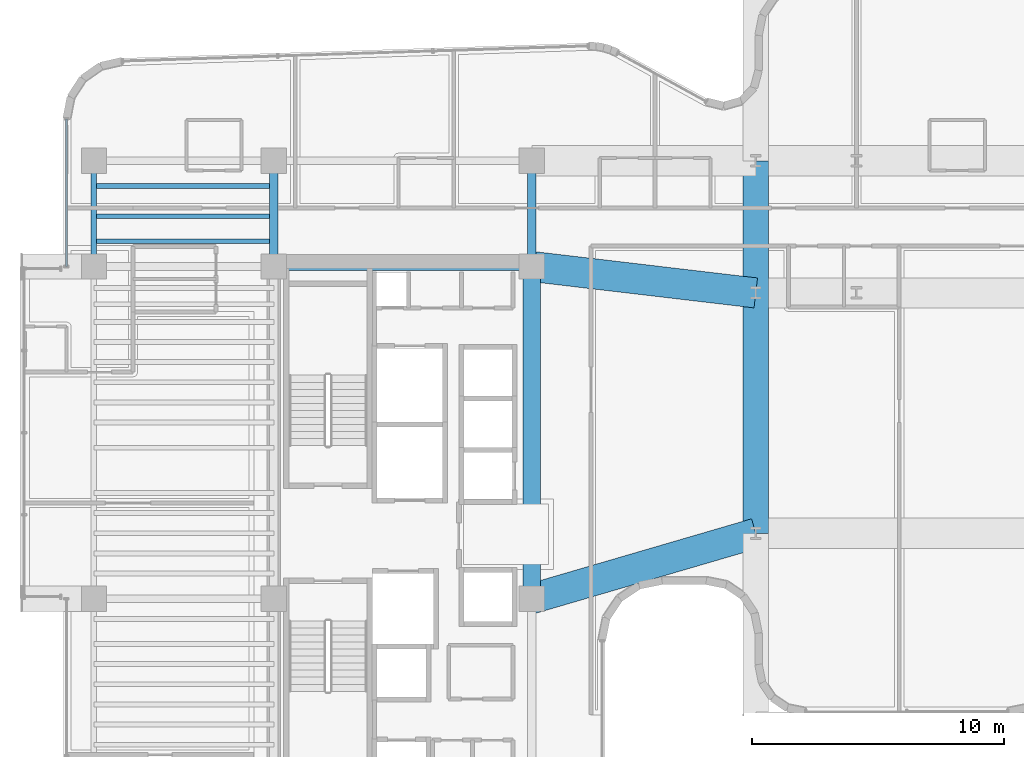
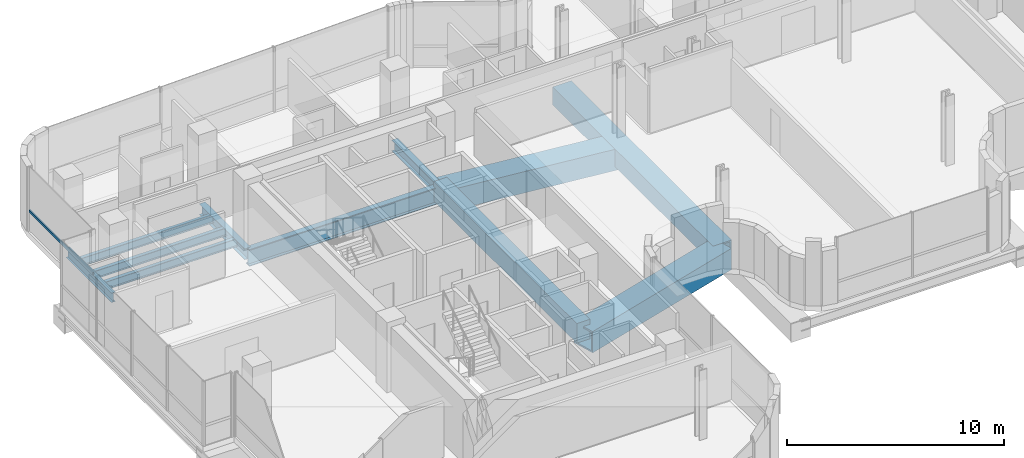
# One storey, part 8 of 36: 11 beams, 1 member, 1 element without a shape of its own.
"""IFC4 building model written with IfcOpenShell, lengths in metres."""

from ifc_helpers import new_model, si_unit, direction, frame, origin, origin_2d, place, context, subcontext, project, spatial, rectangle, hollow_rectangle, i_section, extrude, source, transform, mapped, material, material_profile, profile_set, type_object, element, aggregate, save


model = new_model("IFC4")

# Units and contexts
model_context = context("Model", 3, precision=1e-05, world=origin(), true_north=direction((0.0, 1.0)))
body_context = subcontext(model_context, "Body", "Model", "MODEL_VIEW")
ifc_project = project(units=[si_unit("LENGTHUNIT", "METRE"), si_unit("AREAUNIT", "SQUARE_METRE"), si_unit("VOLUMEUNIT", "CUBIC_METRE"), si_unit("PLANEANGLEUNIT", "RADIAN"), si_unit("MASSUNIT", "GRAM", prefix="KILO")], contexts=[model_context])

# Site, building, storey
site_placement = place(None, origin())
site = spatial("IfcSite", under=ifc_project, at=site_placement, CompositionType="ELEMENT")
building_placement = place(site_placement, origin())
building = spatial("IfcBuilding", under=site, at=building_placement, Name="Valdorenza Pilgrim Sanctuary Tower", CompositionType="ELEMENT")
storey_placement = place(building_placement, frame((0.0, 0.0, 176.550048828125)))
storey = spatial("IfcBuildingStorey", under=building, at=storey_placement, Name="L45", CompositionType="ELEMENT", Elevation=176.550048828125)

# Beams
ifc_material_1 = material(Name="Concrete C50/60", Category="concrete")
ifc_material_profile_1 = material_profile(ifc_material_1, rectangle(XDim=0.699951171875, YDim=1.10009765625, at=origin_2d()), Name="RC 1100x700")
ifc_profile_set_1 = profile_set([ifc_material_profile_1], Name="Concrete C50/60")
beam_type_1 = type_object("IfcBeamType", Name="STR-BM-LNT-1100", PredefinedType="LINTEL", material=ifc_profile_set_1)
shared_shape_1 = source(origin(), body_context, "Body", "SweptSolid", [
    extrude(rectangle(XDim=0.699951171875, YDim=1.10009765625, at=origin_2d()), origin(), (0.0, 0.0, 1.0), 13.2001953125),
])
beam_1_placement = place(storey_placement, frame((-12.39990234375, -2.60009765625, -0.590087890625), z_axis=(0.0, 1.0, 0.0), x_axis=(-1.0, 0.0, 0.0)))
element("IfcBeam", 1, at=beam_1_placement, inside=storey, type_object=beam_type_1, Name="L45 Core A Coupling Lintel Girder", PredefinedType="LINTEL", context=body_context, shape_type="MappedRepresentation", body=[
    mapped(shared_shape_1, transform((0.0, 0.0, 0.0), x_axis=(1.0, 0.0, 0.0), y_axis=(0.0, 1.0, 0.0), z_axis=(0.0, 0.0, 1.0), scale=1.0)),
])
ifc_material_2 = material(Name="Steel ASTM A992 Grade 50", Category="steel")
ifc_material_profile_2 = material_profile(ifc_material_2, i_section(OverallWidth=0.323974609375, OverallDepth=0.611083984375, WebThickness=0.0126953125, FlangeThickness=0.01904296875, at=origin_2d()), Name="W24X104")
ifc_profile_set_2 = profile_set([ifc_material_profile_2], Name="Steel ASTM A992 Grade 50")
beam_type_2 = type_object("IfcBeamType", Name="STR-BM-GRD-W24B", PredefinedType="BEAM", material=ifc_profile_set_2)
shared_shape_2 = source(origin(), body_context, "Body", "SweptSolid", [
    extrude(i_section(OverallWidth=0.323974609375, OverallDepth=0.611083984375, WebThickness=0.0126953125, FlangeThickness=0.01904296875, at=origin_2d()), origin(), (0.0, 0.0, 1.0), 4.199951171875),
])
for number, where, z_axis, x_axis, name in (
    (2, (-22.64990234375, 10.60009765625, -0.62548828125), (0.0, 1.0, 0.0), (-1.0, 0.0, 0.0), "L45 Core Tie Girder CA-W-N1N2"),
    (3, (-12.39990234375, 10.60009765625, -0.62548828125), (0.0, 1.0, 0.0), (-1.0, 0.0, 0.0), "L45 Core Tie Girder CA-E-N1N2"),
):
    element("IfcBeam", number, at=place(storey_placement, frame(where, z_axis=z_axis, x_axis=x_axis)), inside=storey, type_object=beam_type_2, Name=name, PredefinedType="BEAM", context=body_context, shape_type="MappedRepresentation", body=[
        mapped(shared_shape_2, transform((0.0, 0.0, 0.0), x_axis=(1.0, 0.0, 0.0), y_axis=(0.0, 1.0, 0.0), z_axis=(0.0, 0.0, 1.0), scale=1.0)),
    ])
ifc_material_profile_3 = material_profile(ifc_material_2, i_section(OverallWidth=0.19091796875, OverallDepth=0.45703125, WebThickness=0.009033203125, FlangeThickness=0.014404296875, at=origin_2d()), Name="W18X50")
ifc_profile_set_3 = profile_set([ifc_material_profile_3], Name="Steel ASTM A992 Grade 50")
beam_type_3 = type_object("IfcBeamType", Name="STR-BM-JST-W18B", PredefinedType="JOIST", material=ifc_profile_set_3)
shared_shape_3 = source(origin(), body_context, "Body", "SweptSolid", [
    extrude(i_section(OverallWidth=0.19091796875, OverallDepth=0.45703125, WebThickness=0.009033203125, FlangeThickness=0.014404296875, at=origin_2d()), origin(), (0.0, 0.0, 1.0), 7.150146484375),
])
for number, where, z_axis, x_axis, name in (
    (4, (-29.800048828125, 11.60009765625, -0.548583984375), (1.0, 0.0, 0.0), (0.0, 1.0, 0.0), "L45 Composite Floor Joist JST-WA-24"),
    (5, (-29.800048828125, 12.60009765625, -0.548583984375), (1.0, 0.0, 0.0), (0.0, 1.0, 0.0), "L45 Composite Floor Joist JST-WA-25"),
    (6, (-29.800048828125, 13.800048828125, -0.548583984375), (1.0, 0.0, 0.0), (0.0, 1.0, 0.0), "L45 Composite Floor Joist JST-WA-26"),
):
    element("IfcBeam", number, at=place(storey_placement, frame(where, z_axis=z_axis, x_axis=x_axis)), inside=storey, type_object=beam_type_3, Name=name, PredefinedType="JOIST", context=body_context, shape_type="MappedRepresentation", body=[
        mapped(shared_shape_3, transform((0.0, 0.0, 0.0), x_axis=(1.0, 0.0, 0.0), y_axis=(0.0, 1.0, 0.0), z_axis=(0.0, 0.0, 1.0), scale=1.0)),
    ])
ifc_material_profile_4 = material_profile(ifc_material_2, i_section(OverallWidth=0.2109375, OverallDepth=0.5390625, WebThickness=0.01171875, FlangeThickness=0.018798828125, at=origin_2d()), Name="W21X73")
ifc_profile_set_4 = profile_set([ifc_material_profile_4], Name="Steel ASTM A992 Grade 50")
beam_type_4 = type_object("IfcBeamType", Name="STR-BM-SPN-W21B", PredefinedType="SPANDREL", material=ifc_profile_set_4)
shared_shape_4 = source(origin(), body_context, "Body", "SweptSolid", [
    extrude(i_section(OverallWidth=0.2109375, OverallDepth=0.5390625, WebThickness=0.01171875, FlangeThickness=0.018798828125, at=origin_2d()), origin(), (0.0, 0.0, 1.0), 4.199951171875),
])
beam_2_placement = place(storey_placement, frame((-29.800048828125, 10.60009765625, -0.589599609375), z_axis=(0.0, 1.0, 0.0), x_axis=(-1.0, 0.0, 0.0)))
element("IfcBeam", 7, at=beam_2_placement, inside=storey, type_object=beam_type_4, Name="L45 Spandrel Beam WA-W-N1N2", PredefinedType="SPANDREL", context=body_context, shape_type="MappedRepresentation", body=[
    mapped(shared_shape_4, transform((0.0, 0.0, 0.0), x_axis=(1.0, 0.0, 0.0), y_axis=(0.0, 1.0, 0.0), z_axis=(0.0, 0.0, 1.0), scale=1.0)),
])
ifc_material_profile_5 = material_profile(ifc_material_2, i_section(OverallWidth=0.31005859375, OverallDepth=0.949951171875, WebThickness=0.0244140625, FlangeThickness=0.0439453125, at=origin_2d()), Name="W36X256")
ifc_profile_set_5 = profile_set([ifc_material_profile_5], Name="Steel ASTM A992 Grade 50")
beam_type_5 = type_object("IfcBeamType", Name="STR-BM-GRD-W36B", PredefinedType="BEAM", material=ifc_profile_set_5)
shared_shape_5 = source(origin(), body_context, "Body", "SweptSolid", [
    extrude(i_section(OverallWidth=0.31005859375, OverallDepth=0.949951171875, WebThickness=0.0244140625, FlangeThickness=0.0439453125, at=origin_2d()), origin(), (0.0, 0.0, 1.0), 10.25),
])
beam_3_placement = place(storey_placement, frame((-22.64990234375, 10.60009765625, -0.795166015625), z_axis=(1.0, 0.0, 0.0), x_axis=(0.0, 1.0, 0.0)))
element("IfcBeam", 8, at=beam_3_placement, inside=storey, type_object=beam_type_5, Name="L45 Floor Girder CA-XC-N1", PredefinedType="BEAM", context=body_context, shape_type="MappedRepresentation", body=[
    mapped(shared_shape_5, transform((0.0, 0.0, 0.0), x_axis=(1.0, 0.0, 0.0), y_axis=(0.0, 1.0, 0.0), z_axis=(0.0, 0.0, 1.0), scale=1.0)),
])
ifc_material_3 = material(Name="Steel ASTM A572 Grade 42", Category="steel")
ifc_material_profile_6 = material_profile(ifc_material_3, hollow_rectangle(XDim=1.199951171875, YDim=1.199951171875, WallThickness=0.090087890625, at=origin_2d()), Name="BOX 1200x1200x90")
ifc_profile_set_6 = profile_set([ifc_material_profile_6], Name="Steel ASTM A572 Grade 42")
beam_type_6 = type_object("IfcBeamType", Name="STR-BM-TRF-1200", PredefinedType="BEAM", material=ifc_profile_set_6)
shared_shape_6 = source(origin(), body_context, "Body", "SweptSolid", [
    extrude(hollow_rectangle(XDim=1.199951171875, YDim=1.199951171875, WallThickness=0.090087890625, at=origin_2d()), origin(), (0.0, 0.0, 1.0), 9.27197265625),
])
beam_4_placement = place(storey_placement, frame((-12.39990234375, -2.60009765625, -0.920166015625), z_axis=(0.959875453664, 0.280426663234, 0.0), x_axis=(-0.280426663234, 0.959875453664, 0.0)))
element("IfcBeam", 9, at=beam_4_placement, inside=storey, type_object=beam_type_6, Name="L45 Portal Bridge Transfer Girder PRY-G1-P0", PredefinedType="BEAM", context=body_context, shape_type="MappedRepresentation", body=[
    mapped(shared_shape_6, transform((0.0, 0.0, 0.0), x_axis=(1.0, 0.0, 0.0), y_axis=(0.0, 1.0, 0.0), z_axis=(0.0, 0.0, 1.0), scale=1.0)),
])
shared_shape_7 = source(origin(), body_context, "Body", "SweptSolid", [
    extrude(hollow_rectangle(XDim=1.199951171875, YDim=1.199951171875, WallThickness=0.090087890625, at=origin_2d()), origin(), (0.0, 0.0, 1.0), 8.961669921875),
])
beam_5_placement = place(storey_placement, frame((-12.39990234375, 10.60009765625, -0.920166015625), z_axis=(0.993111684121, -0.117171595803, 0.0), x_axis=(0.117171595803, 0.993111684121, 0.0)))
element("IfcBeam", 10, at=beam_5_placement, inside=storey, type_object=beam_type_6, Name="L45 Portal Bridge Transfer Girder PRY-G1-P9", PredefinedType="BEAM", context=body_context, shape_type="MappedRepresentation", body=[
    mapped(shared_shape_7, transform((0.0, 0.0, 0.0), x_axis=(1.0, 0.0, 0.0), y_axis=(0.0, 1.0, 0.0), z_axis=(0.0, 0.0, 1.0), scale=1.0)),
])
ifc_material_profile_7 = material_profile(ifc_material_3, hollow_rectangle(XDim=1.0, YDim=1.0, WallThickness=0.080078125, at=origin_2d()), Name="BOX 1000x1000x80")
ifc_profile_set_7 = profile_set([ifc_material_profile_7], Name="Steel ASTM A572 Grade 42")
beam_type_7 = type_object("IfcBeamType", Name="STR-BM-PROW-CANT", PredefinedType="BEAM", material=ifc_profile_set_7)
shared_shape_8 = source(origin(), body_context, "Body", "SweptSolid", [
    extrude(hollow_rectangle(XDim=1.0, YDim=1.0, WallThickness=0.080078125, at=origin_2d()), origin(), (0.0, 0.0, 1.0), 14.800048828125),
])
beam_6_placement = place(storey_placement, frame((-3.5, 0.0, -0.820068359375), z_axis=(0.0, 1.0, 0.0), x_axis=(-1.0, 0.0, 0.0)))
element("IfcBeam", 11, at=beam_6_placement, inside=storey, type_object=beam_type_7, Name="L45 Sanctuary Backspan Girder PROW-BACK-N-W", PredefinedType="BEAM", context=body_context, shape_type="MappedRepresentation", body=[
    mapped(shared_shape_8, transform((0.0, 0.0, 0.0), x_axis=(1.0, 0.0, 0.0), y_axis=(0.0, 1.0, 0.0), z_axis=(0.0, 0.0, 1.0), scale=1.0)),
])

# Curtain wall, member
ifc_material_4 = material(Name="Curtain-wall IGU glazing", Category="glass")
curtain_wall_type = type_object("IfcCurtainWallType", Name="CW-SYS-02", PredefinedType="NOTDEFINED", material=ifc_material_4)
curtain_wall_placement = place(storey_placement, origin())
curtain_wall = element("IfcCurtainWall", 12, at=curtain_wall_placement, inside=storey, type_object=curtain_wall_type, Name="L45 Curtain Wall CW-L45-1-1S2", PredefinedType="NOTDEFINED")
ifc_material_5 = material(Name="Anodised aluminium AW-6060", Category="aluminium")
ifc_material_profile_8 = material_profile(ifc_material_5, hollow_rectangle(XDim=0.074951171875, YDim=0.14990234375, WallThickness=0.00390625, at=origin_2d()), Name="ALU-T 150x75x4")
ifc_profile_set_8 = profile_set([ifc_material_profile_8], Name="Anodised aluminium AW-6060")
member_type = type_object("IfcMemberType", Name="CW-TRN-02", PredefinedType="USERDEFINED", material=ifc_profile_set_8)
shared_shape_9 = source(origin(), body_context, "Body", "SweptSolid", [
    extrude(hollow_rectangle(XDim=0.074951171875, YDim=0.14990234375, WallThickness=0.00390625, at=origin_2d()), origin(), (0.0, 0.0, 1.0), 5.8662109375),
])
member_placement = place(storey_placement, frame((-30.889892578125, 10.60009765625, 1.119873046875), z_axis=(0.0, 1.0, 0.0), x_axis=(-1.0, 0.0, 0.0)))
member = element("IfcMember", 13, at=member_placement, type_object=member_type, Name="CW-L45-1-1S2 Transom 1", ObjectType="TRANSOM", PredefinedType="USERDEFINED", context=body_context, shape_type="MappedRepresentation", body=[
    mapped(shared_shape_9, transform((0.0, 0.0, 0.0), x_axis=(1.0, 0.0, 0.0), y_axis=(0.0, 1.0, 0.0), z_axis=(0.0, 0.0, 1.0), scale=1.0)),
])
aggregate(curtain_wall, [member])

save(model, "model.ifc")
